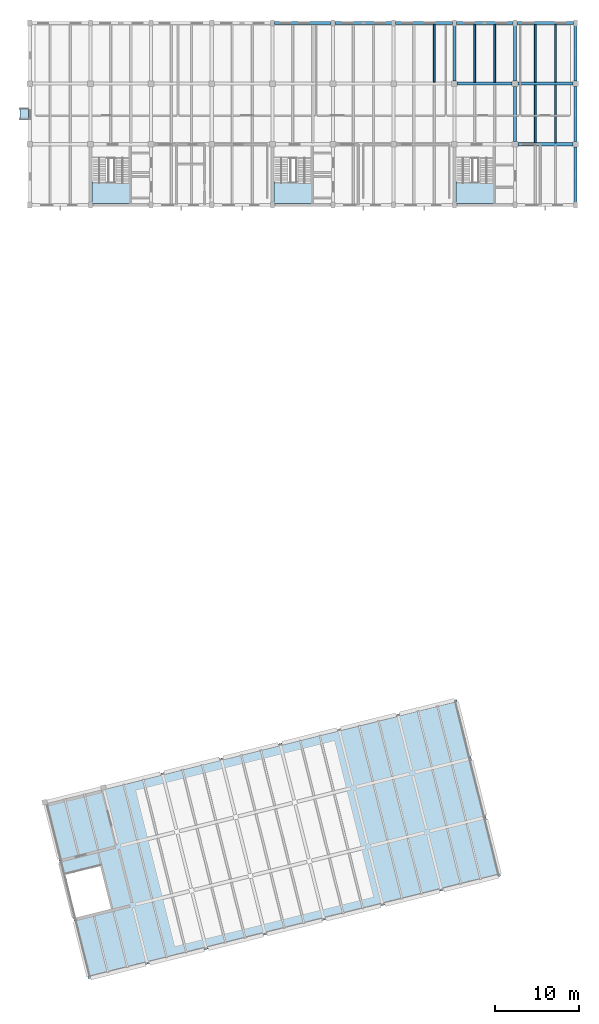
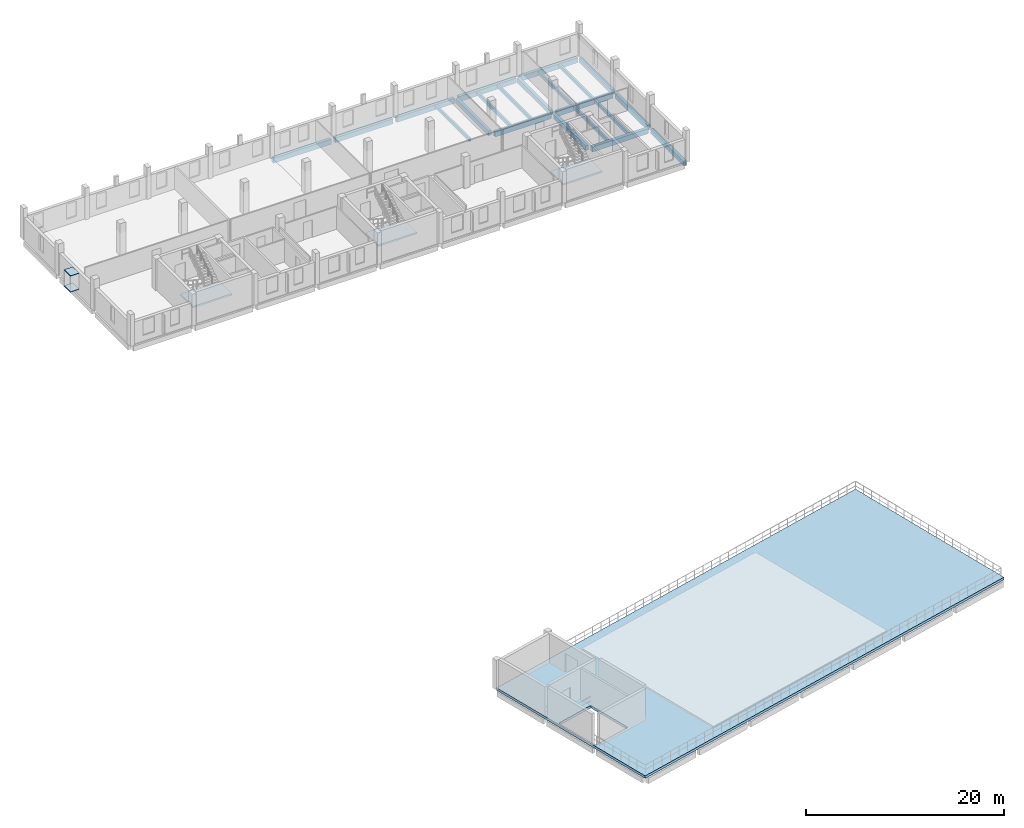
# One storey, part 3 of 11: 21 beams, 4 slabs, 2 plates, 3 elements without a shape of their own.
"""IFC4 building model written with IfcOpenShell, lengths in metres."""

import ifcopenshell
import ifcopenshell.guid

model = None  # the IFC model being written
_history = None  # IfcOwnerHistory: only IFC2X3 demands one
_inside = {}  # id of a spatial element -> (the spatial element, [elements in it])
_under = {}  # id of a project, library or spatial element -> (it, [spatial elements below it])
_declared = {}  # id of a project -> (the project, [libraries it declares])
_typed = {}  # id of a type object -> (the type object, [elements of that type])
_made_of = {}  # id of a material, layer set ... -> (it, [elements and type objects made of it])


def new_model(schema):
    """Start an empty IFC model of exactly this schema.

    Asked for "IFC4X3", IfcOpenShell would pick the latest addendum, in which some entities
    have other attributes; the version numbers below select the first issue.
    IFC2X3 requires an IfcOwnerHistory on every rooted entity: one is made here for all.
    """
    global model, _history
    if schema == "IFC4X3":
        model = ifcopenshell.file(schema_version=(4, 3, 0, 0))
    else:
        model = ifcopenshell.file(schema=schema)
    _inside.clear()
    _under.clear()
    _declared.clear()
    _typed.clear()
    _made_of.clear()
    _history = None
    if model.schema == "IFC2X3":
        org = make("IfcOrganization", Name="unknown")
        user = make(
            "IfcPersonAndOrganization",
            ThePerson=make("IfcPerson", FamilyName="unknown"),
            TheOrganization=org,
        )
        app = make(
            "IfcApplication",
            ApplicationDeveloper=org,
            Version="unknown",
            ApplicationFullName="unknown",
            ApplicationIdentifier="unknown",
        )
        _history = make(
            "IfcOwnerHistory",
            OwningUser=user,
            OwningApplication=app,
            ChangeAction="ADDED",
            CreationDate=0,
        )
    return model


def make(cls, **values):
    """One entity of the class cls with the attributes given. An attribute that is None is left unset."""
    return model.create_entity(
        cls, **{name: value for name, value in values.items() if value is not None}
    )


def rooted(cls, **values):
    """An entity with a GlobalId (a new one), such as an element, a storey or a relation."""
    return make(cls, GlobalId=ifcopenshell.guid.new(), OwnerHistory=_history, **values)


def si_unit(unit_type, name, prefix=None):
    """IfcSIUnit, for example si_unit("LENGTHUNIT", "METRE", prefix="MILLI")."""
    return make("IfcSIUnit", UnitType=unit_type, Prefix=prefix, Name=name)


def assignment(units):
    """IfcUnitAssignment: the units of a project."""
    return None if units is None else make("IfcUnitAssignment", Units=units)


def point(xyz):
    """IfcCartesianPoint."""
    return None if xyz is None else make("IfcCartesianPoint", Coordinates=xyz)


def direction(xyz):
    """IfcDirection."""
    return None if xyz is None else make("IfcDirection", DirectionRatios=xyz)


def frame(location, z_axis=None, x_axis=None):
    """IfcAxis2Placement3D, a coordinate frame: its origin and axes. An axis left out is left unset."""
    return make(
        "IfcAxis2Placement3D",
        Location=point(location),
        Axis=direction(z_axis),
        RefDirection=direction(x_axis),
    )


def frame_2d(location, x_axis=None):
    """IfcAxis2Placement2D, a coordinate frame in the plane: its origin and x axis."""
    return make(
        "IfcAxis2Placement2D", Location=point(location), RefDirection=direction(x_axis)
    )


def origin():
    """The frame at (0, 0, 0) with its axes left unset."""
    return frame((0.0, 0.0, 0.0))


def origin_2d():
    """The frame at (0, 0) in the plane with its x axis left unset."""
    return frame_2d((0.0, 0.0))


def place(relative_to, where):
    """IfcLocalPlacement: puts the frame where relative to a parent placement (None: the world)."""
    return make(
        "IfcLocalPlacement", PlacementRelTo=relative_to, RelativePlacement=where
    )


def context(
    kind, dimensions, precision=None, world=None, true_north=None, identifier=None
):
    """IfcGeometricRepresentationContext, for example the 3D "Model" context."""
    return make(
        "IfcGeometricRepresentationContext",
        ContextIdentifier=identifier,
        ContextType=kind,
        CoordinateSpaceDimension=dimensions,
        Precision=precision,
        WorldCoordinateSystem=world,
        TrueNorth=true_north,
    )


def subcontext(parent, identifier, kind, view, scale=None):
    """IfcGeometricRepresentationSubContext, for example "Body" below "Model"."""
    return make(
        "IfcGeometricRepresentationSubContext",
        ContextIdentifier=identifier,
        ContextType=kind,
        ParentContext=parent,
        TargetScale=scale,
        TargetView=view,
    )


def project(units=None, contexts=None):
    """IfcProject with its units and contexts."""
    return rooted(
        "IfcProject",
        Name="project",
        RepresentationContexts=contexts,
        UnitsInContext=assignment(units),
    )


def spatial(cls, under=None, at=None, **own):
    """A site, building, storey or space (cls), placed at a placement, below another one or the project."""
    s = rooted(cls, ObjectPlacement=at, **own)
    if under is not None:
        _under.setdefault(under.id(), (under, []))[1].append(s)
    return s


def polyline(points):
    """IfcPolyline through the points."""
    return make("IfcPolyline", Points=[point(p) for p in points])


def profile(cls, at=None, kind="AREA", **sizes):
    """A parametric profile (cls). Its sizes go by their IFC names, for example OverallWidth=200.0."""
    return make(cls, ProfileType=kind, Position=at, **sizes)


def rectangle(**sizes):
    """IfcRectangleProfileDef."""
    return profile("IfcRectangleProfileDef", **sizes)


def outline(outer, holes=None, kind="AREA"):
    """IfcArbitraryClosedProfileDef: a profile drawn as a closed curve; with holes, ...WithVoids."""
    if holes is None:
        return make("IfcArbitraryClosedProfileDef", ProfileType=kind, OuterCurve=outer)
    return make(
        "IfcArbitraryProfileDefWithVoids",
        ProfileType=kind,
        OuterCurve=outer,
        InnerCurves=holes,
    )


def extrude(swept, where, along, depth):
    """IfcExtrudedAreaSolid: the profile swept, set in the frame where, extruded along a direction by depth."""
    return make(
        "IfcExtrudedAreaSolid",
        SweptArea=swept,
        Position=where,
        ExtrudedDirection=direction(along),
        Depth=depth,
    )


def shape(context_of_items, identifier, shape_type, items):
    """IfcShapeRepresentation: the items that make up one representation, for example the "Body"."""
    return make(
        "IfcShapeRepresentation",
        ContextOfItems=context_of_items,
        RepresentationIdentifier=identifier,
        RepresentationType=shape_type,
        Items=items,
    )


def material(Name=None, Category=None):
    """IfcMaterial."""
    return make("IfcMaterial", Name=Name, Category=Category)


def layer(
    of_material, thickness, ventilated=None, Name=None, Category=None, Priority=None
):
    """IfcMaterialLayer: one layer of a wall or slab, of a material (None: an air gap)."""
    return make(
        "IfcMaterialLayer",
        Material=of_material,
        LayerThickness=thickness,
        IsVentilated=ventilated,
        Name=Name,
        Category=Category,
        Priority=Priority,
    )


def layer_set(layers, Name=None):
    """IfcMaterialLayerSet."""
    return make("IfcMaterialLayerSet", MaterialLayers=layers, LayerSetName=Name)


def material_profile(
    of_material, cross_section, Name=None, Category=None, Priority=None
):
    """IfcMaterialProfile: a cross section and its material."""
    return make(
        "IfcMaterialProfile",
        Name=Name,
        Material=of_material,
        Profile=cross_section,
        Priority=Priority,
        Category=Category,
    )


def profile_set(profiles, Name=None, composite=None):
    """IfcMaterialProfileSet."""
    return make(
        "IfcMaterialProfileSet",
        Name=Name,
        MaterialProfiles=profiles,
        CompositeProfile=composite,
    )


def made_of(thing, what):
    """Note that an element or type object is made of a material, layer set ...; save() writes the relation."""
    if what is not None:
        _made_of.setdefault(what.id(), (what, []))[1].append(thing)
    return thing


def type_object(cls, material=None, **own):
    """A type object (cls), such as IfcWallType, which elements share."""
    return made_of(rooted(cls, **own), material)


def element(
    cls,
    number,
    at=None,
    inside=None,
    cuts=None,
    type_object=None,
    material=None,
    context=None,
    identifier="Body",
    shape_type=None,
    held_by="IfcProductDefinitionShape",
    body=None,
    shapes=None,
    **own,
):
    """One element of the class cls, such as IfcWall. Its Tag is "e" and its number.

    at: its placement. inside: the storey or other place that contains it. cuts: it is an
    opening in that element (IfcRelVoidsElement). A single representation is given by context,
    identifier, shape_type and body (its items); several are given by shapes. held_by: the class
    of the entity that holds the representations. save() writes the other relations.
    """
    e = rooted(cls, Tag="e%d" % number, ObjectPlacement=at, **own)
    if body is not None:
        shapes = [shape(context, identifier, shape_type, body)]
    if shapes is not None:
        e.Representation = make(held_by, Representations=shapes)
    if inside is not None:
        _inside.setdefault(inside.id(), (inside, []))[1].append(e)
    if cuts is not None:
        rooted(
            "IfcRelVoidsElement", RelatingBuildingElement=cuts, RelatedOpeningElement=e
        )
    if type_object is not None:
        _typed.setdefault(type_object.id(), (type_object, []))[1].append(e)
    return made_of(e, material)


def aggregate(whole, parts):
    """IfcRelAggregates: a whole, such as a stair, and the parts it consists of."""
    return rooted("IfcRelAggregates", RelatingObject=whole, RelatedObjects=parts)


def save(model, path):
    """Write the relations noted so far, then the file.

    IfcRelAggregates (storeys below a building ...), IfcRelContainedInSpatialStructure (elements
    in a storey), IfcRelDefinesByType, IfcRelAssociatesMaterial and IfcRelDeclares: one each for
    every whole, place, type object, material and project.
    """
    for whole, parts in _under.values():
        aggregate(whole, parts)
    for where, things in _inside.values():
        rooted(
            "IfcRelContainedInSpatialStructure",
            RelatedElements=things,
            RelatingStructure=where,
        )
    for kind, things in _typed.values():
        rooted("IfcRelDefinesByType", RelatedObjects=things, RelatingType=kind)
    for what, things in _made_of.values():
        rooted("IfcRelAssociatesMaterial", RelatedObjects=things, RelatingMaterial=what)
    for by, libraries in _declared.values():
        rooted("IfcRelDeclares", RelatingContext=by, RelatedDefinitions=libraries)
    model.write(path)


model = new_model("IFC4")

# Units and contexts
model_context = context("Model", 3, precision=1e-05, world=origin(), true_north=direction((0.0, 1.0)))
body_context = subcontext(model_context, "Body", "Model", "MODEL_VIEW")
ifc_project = project(units=[si_unit("LENGTHUNIT", "METRE"), si_unit("AREAUNIT", "SQUARE_METRE"), si_unit("VOLUMEUNIT", "CUBIC_METRE"), si_unit("PLANEANGLEUNIT", "RADIAN"), si_unit("MASSUNIT", "GRAM", prefix="KILO")], contexts=[model_context])

# Site, building, storey
site_placement = place(None, origin())
site = spatial("IfcSite", under=ifc_project, at=site_placement, CompositionType="ELEMENT")
building_placement = place(site_placement, origin())
building = spatial("IfcBuilding", under=site, at=building_placement, Name="Qiaolan Assembly House", CompositionType="ELEMENT")
storey_placement = place(building_placement, frame((0.0, 0.0, 26.39990234375)))
storey = spatial("IfcBuildingStorey", under=building, at=storey_placement, Name="L06", CompositionType="ELEMENT", Elevation=26.39990234375)

# Beams
ifc_material_1 = material(Name="Concrete C40/50", Category="concrete")
ifc_material_profile_1 = material_profile(ifc_material_1, rectangle(XDim=0.360107421875, YDim=0.580078125, at=origin_2d()), Name="RCB 360x580")
ifc_profile_set_1 = profile_set([ifc_material_profile_1], Name="Concrete C40/50")
beam_type_1 = type_object("IfcBeamType", Name="BM-RC-360x580", PredefinedType="BEAM", material=ifc_profile_set_1)
beam_1_placement = place(storey_placement, frame((86.39990234375, 108.330078125, -0.52001953125), z_axis=(0.0, 1.0, 0.0), x_axis=(-1.0, 0.0, 0.0)))
element("IfcBeam", 1, at=beam_1_placement, inside=storey, type_object=beam_type_1, Name="GB-16 beam BMY-NW-L06-07-02", PredefinedType="BEAM", context=body_context, shape_type="SweptSolid", body=[
    extrude(rectangle(XDim=0.360107421875, YDim=0.580078125, at=origin_2d()), origin(), (0.0, 0.0, 1.0), 6.639892578125),
])
beam_2_placement = place(storey_placement, frame((93.60009765625, 101.1298828125, -0.52001953125), z_axis=(0.0, 1.0, 0.0), x_axis=(-1.0, 0.0, 0.0)))
element("IfcBeam", 2, at=beam_2_placement, inside=storey, type_object=beam_type_1, Name="GB-16 beam BMY-NW-L06-08-01", PredefinedType="BEAM", context=body_context, shape_type="SweptSolid", body=[
    extrude(rectangle(XDim=0.360107421875, YDim=0.580078125, at=origin_2d()), origin(), (0.0, 0.0, 1.0), 6.5400390625),
])
beam_3_placement = place(storey_placement, frame((93.60009765625, 108.330078125, -0.52001953125), z_axis=(0.0, 1.0, 0.0), x_axis=(-1.0, 0.0, 0.0)))
element("IfcBeam", 3, at=beam_3_placement, inside=storey, type_object=beam_type_1, Name="GB-16 beam BMY-NW-L06-08-02", PredefinedType="BEAM", context=body_context, shape_type="SweptSolid", body=[
    extrude(rectangle(XDim=0.360107421875, YDim=0.580078125, at=origin_2d()), origin(), (0.0, 0.0, 1.0), 6.639892578125),
])
beam_4_placement = place(storey_placement, frame((100.800048828125, 93.830078125, -0.52001953125), z_axis=(0.0, 1.0, 0.0), x_axis=(-1.0, 0.0, 0.0)))
element("IfcBeam", 4, at=beam_4_placement, inside=storey, type_object=beam_type_1, Name="GB-16 beam BMY-NW-L06-09-00", PredefinedType="BEAM", context=body_context, shape_type="SweptSolid", body=[
    extrude(rectangle(XDim=0.360107421875, YDim=0.580078125, at=origin_2d()), origin(), (0.0, 0.0, 1.0), 6.655029296875),
])
beam_5_placement = place(storey_placement, frame((100.800048828125, 101.114990234375, -0.52001953125), z_axis=(0.0, 1.0, 0.0), x_axis=(-1.0, 0.0, 0.0)))
element("IfcBeam", 5, at=beam_5_placement, inside=storey, type_object=beam_type_1, Name="GB-16 beam BMY-NW-L06-09-01", PredefinedType="BEAM", context=body_context, shape_type="SweptSolid", body=[
    extrude(rectangle(XDim=0.360107421875, YDim=0.580078125, at=origin_2d()), origin(), (0.0, 0.0, 1.0), 6.570068359375),
])
beam_6_placement = place(storey_placement, frame((100.800048828125, 108.31494140625, -0.52001953125), z_axis=(0.0, 1.0, 0.0), x_axis=(-1.0, 0.0, 0.0)))
element("IfcBeam", 6, at=beam_6_placement, inside=storey, type_object=beam_type_1, Name="GB-16 beam BMY-NW-L06-09-02", PredefinedType="BEAM", context=body_context, shape_type="SweptSolid", body=[
    extrude(rectangle(XDim=0.360107421875, YDim=0.580078125, at=origin_2d()), origin(), (0.0, 0.0, 1.0), 6.655029296875),
])
ifc_material_profile_2 = material_profile(ifc_material_1, rectangle(XDim=0.3798828125, YDim=0.6201171875, at=origin_2d()), Name="RCB 380x620")
ifc_profile_set_2 = profile_set([ifc_material_profile_2], Name="Concrete C40/50")
beam_type_2 = type_object("IfcBeamType", Name="BM-RC-380x620", PredefinedType="BEAM", material=ifc_profile_set_2)
beam_7_placement = place(storey_placement, frame((93.929931640625, 100.800048828125, -0.539794921875), z_axis=(1.0, 0.0, 0.0), x_axis=(0.0, 1.0, 0.0)))
element("IfcBeam", 7, at=beam_7_placement, inside=storey, type_object=beam_type_2, Name="GB-13 beam BMX-NW-L06-08-01", PredefinedType="BEAM", context=body_context, shape_type="SweptSolid", body=[
    extrude(rectangle(XDim=0.3798828125, YDim=0.6201171875, at=origin_2d()), origin(), (0.0, 0.0, 1.0), 6.55517578125),
])
beam_8_placement = place(storey_placement, frame((86.72998046875, 108.0, -0.539794921875), z_axis=(1.0, 0.0, 0.0), x_axis=(0.0, 1.0, 0.0)))
element("IfcBeam", 8, at=beam_8_placement, inside=storey, type_object=beam_type_2, Name="GB-13 beam BMX-NW-L06-07-02", PredefinedType="BEAM", context=body_context, shape_type="SweptSolid", body=[
    extrude(rectangle(XDim=0.3798828125, YDim=0.6201171875, at=origin_2d()), origin(), (0.0, 0.0, 1.0), 6.5400390625),
])
beam_9_placement = place(storey_placement, frame((93.929931640625, 108.0, -0.539794921875), z_axis=(1.0, 0.0, 0.0), x_axis=(0.0, 1.0, 0.0)))
element("IfcBeam", 9, at=beam_9_placement, inside=storey, type_object=beam_type_2, Name="GB-13 beam BMX-NW-L06-08-02", PredefinedType="BEAM", context=body_context, shape_type="SweptSolid", body=[
    extrude(rectangle(XDim=0.3798828125, YDim=0.6201171875, at=origin_2d()), origin(), (0.0, 0.0, 1.0), 6.55517578125),
])
for number, where, z_axis, x_axis, name in (
    (10, (65.030029296875, 115.199951171875, -0.539794921875), (1.0, 0.0, 0.0), (0.0, 1.0, 0.0), "GB-13 beam BMX-NW-L06-04-03"),
    (11, (72.22998046875, 115.199951171875, -0.539794921875), (1.0, 0.0, 0.0), (0.0, 1.0, 0.0), "GB-13 beam BMX-NW-L06-05-03"),
    (12, (79.429931640625, 115.199951171875, -0.539794921875), (1.0, 0.0, 0.0), (0.0, 1.0, 0.0), "GB-13 beam BMX-NW-L06-06-03"),
):
    element("IfcBeam", number, at=place(storey_placement, frame(where, z_axis=z_axis, x_axis=x_axis)), inside=storey, type_object=beam_type_2, Name=name, PredefinedType="BEAM", context=body_context, shape_type="SweptSolid", body=[
        extrude(rectangle(XDim=0.3798828125, YDim=0.6201171875, at=origin_2d()), origin(), (0.0, 0.0, 1.0), 6.739990234375),
    ])
beam_10_placement = place(storey_placement, frame((86.6298828125, 115.199951171875, -0.539794921875), z_axis=(1.0, 0.0, 0.0), x_axis=(0.0, 1.0, 0.0)))
element("IfcBeam", 13, at=beam_10_placement, inside=storey, type_object=beam_type_2, Name="GB-13 beam BMX-NW-L06-07-03", PredefinedType="BEAM", context=body_context, shape_type="SweptSolid", body=[
    extrude(rectangle(XDim=0.3798828125, YDim=0.6201171875, at=origin_2d()), origin(), (0.0, 0.0, 1.0), 6.740234375),
])
beam_11_placement = place(storey_placement, frame((93.830078125, 115.199951171875, -0.539794921875), z_axis=(1.0, 0.0, 0.0), x_axis=(0.0, 1.0, 0.0)))
element("IfcBeam", 14, at=beam_11_placement, inside=storey, type_object=beam_type_2, Name="GB-13 beam BMX-NW-L06-08-03", PredefinedType="BEAM", context=body_context, shape_type="SweptSolid", body=[
    extrude(rectangle(XDim=0.3798828125, YDim=0.6201171875, at=origin_2d()), origin(), (0.0, 0.0, 1.0), 6.739990234375),
])
ifc_material_profile_3 = material_profile(ifc_material_1, rectangle(XDim=0.219970703125, YDim=0.419921875, at=origin_2d()), Name="RCB 220x420")
ifc_profile_set_3 = profile_set([ifc_material_profile_3], Name="Concrete C40/50")
beam_type_3 = type_object("IfcBeamType", Name="JST-RC-220x420", PredefinedType="JOIST", material=ifc_profile_set_3)
for number, where, z_axis, x_axis, name in (
    (15, (84.0, 108.18408203125, -0.43994140625), (0.0, 1.0, 0.0), (-1.0, 0.0, 0.0), "RJ-03 beam JST-NW-L06-06-02-2"),
    (16, (88.800048828125, 108.18408203125, -0.43994140625), (0.0, 1.0, 0.0), (-1.0, 0.0, 0.0), "RJ-03 beam JST-NW-L06-07-02-1"),
    (17, (91.199951171875, 108.18408203125, -0.43994140625), (0.0, 1.0, 0.0), (-1.0, 0.0, 0.0), "RJ-03 beam JST-NW-L06-07-02-2"),
    (18, (96.0, 100.98388671875, -0.43994140625), (0.0, 1.0, 0.0), (-1.0, 0.0, 0.0), "RJ-03 beam JST-NW-L06-08-01-1"),
    (19, (98.39990234375, 100.98388671875, -0.43994140625), (0.0, 1.0, 0.0), (-1.0, 0.0, 0.0), "RJ-03 beam JST-NW-L06-08-01-2"),
    (20, (96.0, 108.18408203125, -0.43994140625), (0.0, 1.0, 0.0), (-1.0, 0.0, 0.0), "RJ-03 beam JST-NW-L06-08-02-1"),
    (21, (98.39990234375, 108.18408203125, -0.43994140625), (0.0, 1.0, 0.0), (-1.0, 0.0, 0.0), "RJ-03 beam JST-NW-L06-08-02-2"),
):
    element("IfcBeam", number, at=place(storey_placement, frame(where, z_axis=z_axis, x_axis=x_axis)), inside=storey, type_object=beam_type_3, Name=name, PredefinedType="JOIST", context=body_context, shape_type="SweptSolid", body=[
        extrude(rectangle(XDim=0.219970703125, YDim=0.419921875, at=origin_2d()), origin(), (0.0, 0.0, 1.0), 6.83203125),
    ])

# Plates
ifc_material_2 = material(Name="Honed pale limestone", Category="masonry")
ifc_layer_1 = layer(ifc_material_2, 0.080078125)
ifc_layer_set_1 = layer_set([ifc_layer_1], Name="Honed pale limestone")
plate_type = type_object("IfcPlateType", Name="PLT-WINBOX-SURROUND", PredefinedType="SHEET", material=ifc_layer_set_1)
for number, where, name in (
    (22, (0.0, 0.0, 0.6201171875), "WB-01 projecting limestone window-box sill NWW-L06-01"),
    (23, (0.0, 0.0, 2.590087890625), "WB-01 projecting limestone window-box hood NWW-L06-01"),
):
    element("IfcPlate", number, at=place(storey_placement, frame(where)), inside=storey, type_object=plate_type, Name=name, PredefinedType="SHEET", context=body_context, shape_type="SweptSolid", body=[
        extrude(outline(polyline([(34.840087890625, 103.764892578125), (34.840087890625, 105.034912109375), (35.840087890625, 105.034912109375), (35.840087890625, 103.764892578125), (34.840087890625, 103.764892578125)])), origin(), (0.0, 0.0, 1.0), 0.080078125),
    ])

# Stair, slab
stair_type = type_object("IfcStairType", Name="STR-UPPER-390", PredefinedType="HALF_TURN_STAIR", material=ifc_material_1)
stair_1_placement = place(storey_placement, origin())
stair_1 = element("IfcStair", 24, at=stair_1_placement, inside=storey, type_object=stair_type, Name="ST-08 enclosed egress stair CORE-A L06", PredefinedType="HALF_TURN_STAIR")
ifc_layer_2 = layer(ifc_material_1, 0.199951171875)
ifc_layer_set_2 = layer_set([ifc_layer_2], Name="Concrete C40/50")
slab_type_1 = type_object("IfcSlabType", Name="SLB-LANDING-200", PredefinedType="LANDING", material=ifc_layer_set_2)
slab_1_placement = place(storey_placement, frame((0.0, 0.0, 1.75)))
slab_1 = element("IfcSlab", 25, at=slab_1_placement, type_object=slab_type_1, Name="Stair landing LND-CORE-A-L06-HL", PredefinedType="LANDING", context=body_context, shape_type="SweptSolid", body=[
    extrude(outline(polyline([(43.3798828125, 93.780029296875), (43.3798828125, 96.375), (47.919921875, 96.375), (47.919921875, 93.780029296875), (43.3798828125, 93.780029296875)])), origin(), (0.0, 0.0, 1.0), 0.2001953125),
])
aggregate(stair_1, [slab_1])

stair_2_placement = place(storey_placement, origin())
stair_2 = element("IfcStair", 26, at=stair_2_placement, inside=storey, type_object=stair_type, Name="ST-08 enclosed egress stair CORE-B L06", PredefinedType="HALF_TURN_STAIR")
slab_2_placement = place(storey_placement, frame((0.0, 0.0, 1.75)))
slab_2 = element("IfcSlab", 27, at=slab_2_placement, type_object=slab_type_1, Name="Stair landing LND-CORE-B-L06-HL", PredefinedType="LANDING", context=body_context, shape_type="SweptSolid", body=[
    extrude(outline(polyline([(64.97998046875, 93.780029296875), (64.97998046875, 96.375), (69.52001953125, 96.375), (69.52001953125, 93.780029296875), (64.97998046875, 93.780029296875)])), origin(), (0.0, 0.0, 1.0), 0.2001953125),
])
aggregate(stair_2, [slab_2])

stair_3_placement = place(storey_placement, origin())
stair_3 = element("IfcStair", 28, at=stair_3_placement, inside=storey, type_object=stair_type, Name="ST-08 enclosed egress stair CORE-G L06", PredefinedType="HALF_TURN_STAIR")
slab_3_placement = place(storey_placement, frame((0.0, 0.0, 1.75)))
slab_3 = element("IfcSlab", 29, at=slab_3_placement, type_object=slab_type_1, Name="Stair landing LND-CORE-G-L06-HL", PredefinedType="LANDING", context=body_context, shape_type="SweptSolid", body=[
    extrude(outline(polyline([(86.580078125, 93.780029296875), (86.580078125, 96.375), (91.1201171875, 96.375), (91.1201171875, 93.780029296875), (86.580078125, 93.780029296875)])), origin(), (0.0, 0.0, 1.0), 0.2001953125),
])
aggregate(stair_3, [slab_3])

# Slab
ifc_layer_3 = layer(ifc_material_1, 0.31005859375)
ifc_layer_set_3 = layer_set([ifc_layer_3], Name="Concrete C40/50")
slab_type_2 = type_object("IfcSlabType", Name="SLB-ROOF-GARDEN-310", PredefinedType="ROOF", material=ifc_layer_set_3)
slab_4_placement = place(storey_placement, frame((0.0, 0.0, -0.309814453125)))
element("IfcSlab", 30, at=slab_4_placement, inside=storey, type_object=slab_type_2, Name="RS-02 South-East Splayed Wing Roof Garden Slab L06", PredefinedType="ROOF", context=body_context, shape_type="SweptSolid", body=[
    extrude(outline(polyline([(42.986083984375, 1.741943359375), (91.888916015625, 13.934814453125), (86.66357421875, 34.89306640625), (37.760498046875, 22.7001953125), (42.986083984375, 1.741943359375)]), holes=[polyline([(40.095703125, 14.161376953125), (44.442626953125, 15.245361328125), (45.73681640625, 10.05419921875), (41.389892578125, 8.970458984375), (40.095703125, 14.161376953125)])]), origin(), (0.0, 0.0, 1.0), 0.309814453125),
])

save(model, "model.ifc")
